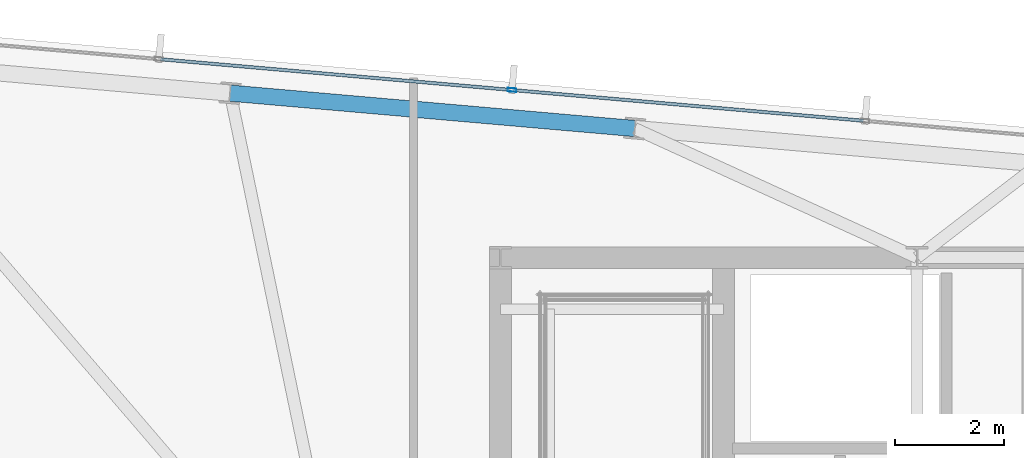
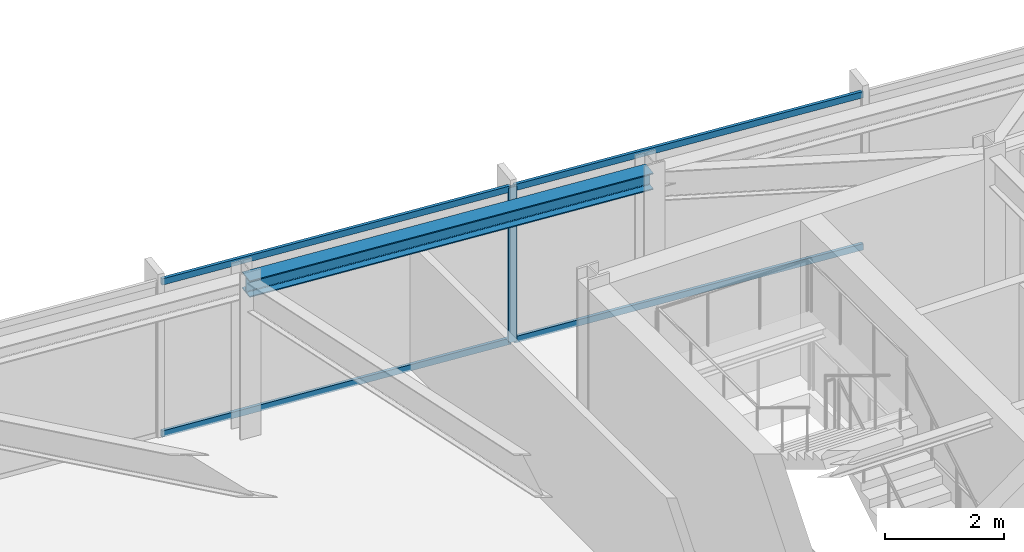
# One storey, part 24 of 32: 5 members, 1 beam, 1 element without a shape of its own.
"""IFC4 building model written with IfcOpenShell, lengths in metres."""

from ifc_helpers import new_model, si_unit, direction, frame, origin, origin_2d, place, context, subcontext, project, spatial, hollow_rectangle, i_section, extrude, material, material_profile, profile_set, type_object, element, aggregate, save


model = new_model("IFC4")

# Units and contexts
model_context = context("Model", 3, precision=1e-05, world=origin(), true_north=direction((0.0, 1.0)))
body_context = subcontext(model_context, "Body", "Model", "MODEL_VIEW")
ifc_project = project(units=[si_unit("LENGTHUNIT", "METRE"), si_unit("AREAUNIT", "SQUARE_METRE"), si_unit("VOLUMEUNIT", "CUBIC_METRE"), si_unit("PLANEANGLEUNIT", "RADIAN"), si_unit("MASSUNIT", "GRAM", prefix="KILO")], contexts=[model_context])

# Site, building, storey
site_placement = place(None, origin())
site = spatial("IfcSite", under=ifc_project, at=site_placement, CompositionType="ELEMENT")
building_placement = place(site_placement, origin())
building = spatial("IfcBuilding", under=site, at=building_placement, Name="Yelkora Congress Tower", CompositionType="ELEMENT")
storey_placement = place(building_placement, frame((0.0, 0.0, 259.10009765625)))
storey = spatial("IfcBuildingStorey", under=building, at=storey_placement, Name="L72", CompositionType="ELEMENT", Elevation=259.10009765625)

# Beam
ifc_material_1 = material(Name="Steel S355J2", Category="steel")
ifc_material_profile_1 = material_profile(ifc_material_1, i_section(OverallWidth=0.300048828125, OverallDepth=0.340087890625, WebThickness=0.011962890625, FlangeThickness=0.021484375, FilletRadius=0.027099609375, at=origin_2d()), Name="HEB 340")
ifc_profile_set_1 = profile_set([ifc_material_profile_1], Name="Steel S355J2")
beam_type = type_object("IfcBeamType", Name="BM-SPAN-HEB340", PredefinedType="SPANDREL", material=ifc_profile_set_1)
beam_placement = place(storey_placement, frame((25.513916015625, 48.57958984375, 3.010009765625), z_axis=(-0.996196266663, 0.087137812034, 0.0), x_axis=(-0.087137812034, -0.996196266663, 0.0)))
element("IfcBeam", 1, at=beam_placement, inside=storey, type_object=beam_type, Name="L72 Perimeter Beam 11", PredefinedType="SPANDREL", context=body_context, shape_type="SweptSolid", body=[
    extrude(i_section(OverallWidth=0.300048828125, OverallDepth=0.340087890625, WebThickness=0.011962890625, FlangeThickness=0.021484375, FilletRadius=0.027099609375, at=origin_2d()), origin(), (0.0, 0.0, 1.0), 7.483642578125),
])

# Curtain wall, members
ifc_material_2 = material(Name="Anodised aluminium and insulated glass", Category="aluminium")
curtain_wall_type = type_object("IfcCurtainWallType", Name="CW-SYS-B5", PredefinedType="NOTDEFINED", material=ifc_material_2)
curtain_wall_placement = place(storey_placement, origin())
curtain_wall = element("IfcCurtainWall", 2, at=curtain_wall_placement, inside=storey, type_object=curtain_wall_type, Name="L72 Unitised Curtain Wall 10", PredefinedType="NOTDEFINED")
ifc_material_3 = material(Name="Anodised aluminium 6063-T6", Category="aluminium")
ifc_material_profile_2 = material_profile(ifc_material_3, hollow_rectangle(XDim=0.06494140625, YDim=0.159912109375, WallThickness=0.00390625, at=origin_2d()), Name="ALU 65x160x4")
ifc_profile_set_2 = profile_set([ifc_material_profile_2], Name="Anodised aluminium 6063-T6")
member_type_1 = type_object("IfcMemberType", Name="MEM-ML-B5", PredefinedType="MULLION", material=ifc_profile_set_2)
member_1_placement = place(storey_placement, frame((23.253173828125, 49.289306640625, 0.0), z_axis=(0.0, 0.0, 1.0), x_axis=(0.087156639893, 0.996194619601, 0.0)))
member_1 = element("IfcMember", 3, at=member_1_placement, type_object=member_type_1, Name="CW-B5 mullion 3", PredefinedType="MULLION", context=body_context, shape_type="SweptSolid", body=[
    extrude(hollow_rectangle(XDim=0.06494140625, YDim=0.159912109375, WallThickness=0.00390625, at=origin_2d()), origin(), (0.0, 0.0, 1.0), 3.179931640625),
])
ifc_material_profile_3 = material_profile(ifc_material_3, hollow_rectangle(XDim=0.06005859375, YDim=0.1298828125, WallThickness=0.00390625, at=origin_2d()), Name="ALU 60x130x4")
ifc_profile_set_3 = profile_set([ifc_material_profile_3], Name="Anodised aluminium 6063-T6")
member_type_2 = type_object("IfcMemberType", Name="MEM-TR-B5", PredefinedType="USERDEFINED", material=ifc_profile_set_3)
member_2_placement = place(storey_placement, frame((16.779052734375, 49.855712890625, 0.02978515625), z_axis=(0.996195971174, -0.087141190126, 0.0), x_axis=(0.087141190126, 0.996195971174, 0.0)))
member_2 = element("IfcMember", 4, at=member_2_placement, type_object=member_type_2, Name="CW-B5 transom 2.1", ObjectType="TRANSOM", PredefinedType="USERDEFINED", context=body_context, shape_type="SweptSolid", body=[
    extrude(hollow_rectangle(XDim=0.06005859375, YDim=0.1298828125, WallThickness=0.00390625, at=origin_2d()), origin(), (0.0, 0.0, 1.0), 6.46630859375),
])
member_3_placement = place(storey_placement, frame((16.779052734375, 49.855712890625, 3.14990234375), z_axis=(0.996195971174, -0.087141190126, 0.0), x_axis=(0.087141190126, 0.996195971174, 0.0)))
member_3 = element("IfcMember", 5, at=member_3_placement, type_object=member_type_2, Name="CW-B5 transom 2.2", ObjectType="TRANSOM", PredefinedType="USERDEFINED", context=body_context, shape_type="SweptSolid", body=[
    extrude(hollow_rectangle(XDim=0.06005859375, YDim=0.1298828125, WallThickness=0.00390625, at=origin_2d()), origin(), (0.0, 0.0, 1.0), 6.46630859375),
])
member_4_placement = place(storey_placement, frame((23.285400390625, 49.286376953125, 0.02978515625), z_axis=(0.996196257862, -0.087137912649, 0.0), x_axis=(0.087137912649, 0.996196257862, 0.0)))
member_4 = element("IfcMember", 6, at=member_4_placement, type_object=member_type_2, Name="CW-B5 transom 3.1", ObjectType="TRANSOM", PredefinedType="USERDEFINED", context=body_context, shape_type="SweptSolid", body=[
    extrude(hollow_rectangle(XDim=0.06005859375, YDim=0.1298828125, WallThickness=0.00390625, at=origin_2d()), origin(), (0.0, 0.0, 1.0), 6.466552734375),
])
member_5_placement = place(storey_placement, frame((23.285400390625, 49.286376953125, 3.14990234375), z_axis=(0.996196257862, -0.087137912649, 0.0), x_axis=(0.087137912649, 0.996196257862, 0.0)))
member_5 = element("IfcMember", 7, at=member_5_placement, type_object=member_type_2, Name="CW-B5 transom 3.2", ObjectType="TRANSOM", PredefinedType="USERDEFINED", context=body_context, shape_type="SweptSolid", body=[
    extrude(hollow_rectangle(XDim=0.06005859375, YDim=0.1298828125, WallThickness=0.00390625, at=origin_2d()), origin(), (0.0, 0.0, 1.0), 6.466552734375),
])
aggregate(curtain_wall, [member_1, member_2, member_3, member_4, member_5])

save(model, "model.ifc")
